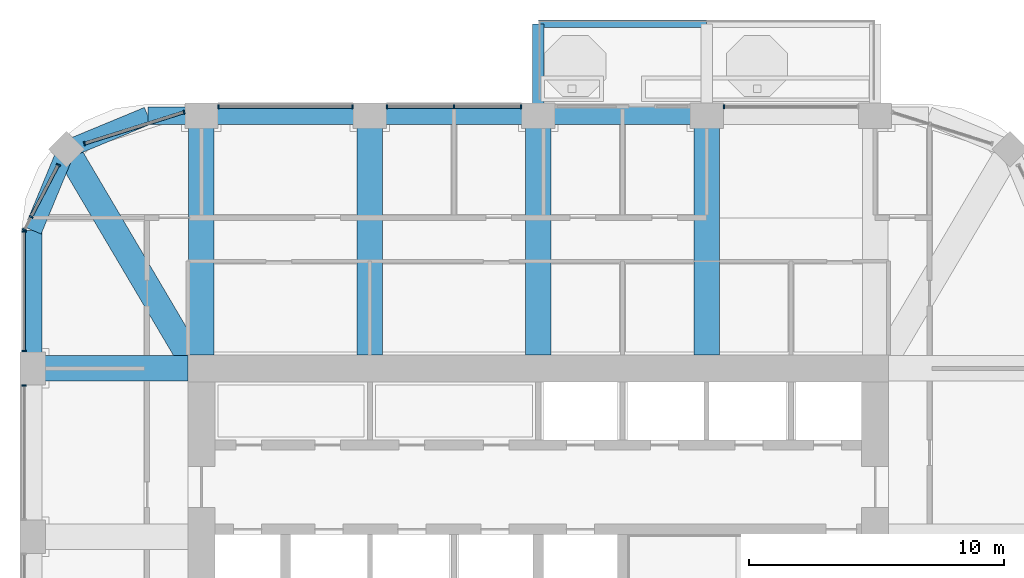
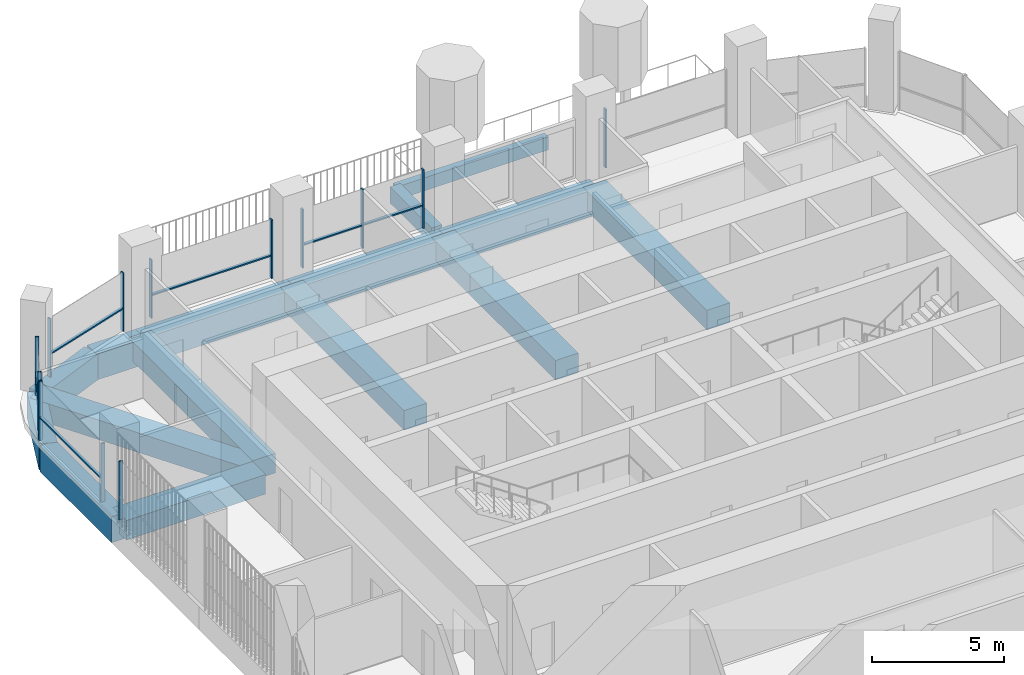
# One storey, part 6 of 21: 20 members, 15 beams, 7 elements without a shape of their own.
"""IFC4 building model written with IfcOpenShell, lengths in metres."""

from ifc_helpers import new_model, si_unit, direction, frame, origin, origin_2d, place, context, subcontext, project, spatial, rectangle, extrude, material, material_profile, profile_set, type_object, element, aggregate, save


model = new_model("IFC4")

# Units and contexts
model_context = context("Model", 3, precision=1e-05, world=origin(), true_north=direction((0.0, 1.0)))
body_context = subcontext(model_context, "Body", "Model", "MODEL_VIEW")
ifc_project = project(units=[si_unit("LENGTHUNIT", "METRE"), si_unit("AREAUNIT", "SQUARE_METRE"), si_unit("VOLUMEUNIT", "CUBIC_METRE"), si_unit("PLANEANGLEUNIT", "RADIAN"), si_unit("MASSUNIT", "GRAM", prefix="KILO")], contexts=[model_context])

# Site, building, storey
site_placement = place(None, origin())
site = spatial("IfcSite", under=ifc_project, at=site_placement, CompositionType="ELEMENT")
building_placement = place(site_placement, origin())
building = spatial("IfcBuilding", under=site, at=building_placement, Name="Cobogo Forest Laboratory Tower", CompositionType="ELEMENT")
storey_placement = place(building_placement, frame((0.0, 0.0, 241.800048828125)))
storey = spatial("IfcBuildingStorey", under=building, at=storey_placement, Name="L55", CompositionType="ELEMENT", Elevation=241.800048828125)

# Beams
ifc_material_1 = material(Name="Concrete HA-40 (C40/50)", Category="concrete")
ifc_material_profile_1 = material_profile(ifc_material_1, rectangle(XDim=0.449951171875, YDim=0.75, at=origin_2d()), Name="RC 450x750")
ifc_profile_set_1 = profile_set([ifc_material_profile_1], Name="Concrete HA-40 (C40/50)")
beam_type_1 = type_object("IfcBeamType", Name="Balcony cantilever beam 450x750", PredefinedType="BEAM", material=ifc_profile_set_1)
beam_1_placement = place(storey_placement, frame((26.39990234375, 43.35009765625, -0.625), z_axis=(0.0, 1.0, 0.0), x_axis=(-1.0, 0.0, 0.0)))
element("IfcBeam", 1, at=beam_1_placement, inside=storey, type_object=beam_type_1, Name="CB1 BAL-N1-C1 L55", PredefinedType="BEAM", context=body_context, shape_type="SweptSolid", body=[
    extrude(rectangle(XDim=0.449951171875, YDim=0.75, at=origin_2d()), origin(), (0.0, 0.0, 1.0), 3.14990234375),
])
ifc_material_profile_2 = material_profile(ifc_material_1, rectangle(XDim=0.300048828125, YDim=0.60009765625, at=origin_2d()), Name="RC 300x600")
ifc_profile_set_2 = profile_set([ifc_material_profile_2], Name="Concrete HA-40 (C40/50)")
beam_type_2 = type_object("IfcBeamType", Name="Balcony edge beam 300x600", PredefinedType="BEAM", material=ifc_profile_set_2)
beam_2_placement = place(storey_placement, frame((26.39990234375, 46.5, -0.550048828125), z_axis=(1.0, 0.0, 0.0), x_axis=(0.0, 1.0, 0.0)))
element("IfcBeam", 2, at=beam_2_placement, inside=storey, type_object=beam_type_2, Name="BB1 BAL-N1-T1 L55", PredefinedType="BEAM", context=body_context, shape_type="SweptSolid", body=[
    extrude(rectangle(XDim=0.300048828125, YDim=0.60009765625, at=origin_2d()), origin(), (0.0, 0.0, 1.0), 6.60009765625),
])

# Curtain wall, member
ifc_material_2 = material(Name="Aluminium curtain wall", Category="aluminium")
curtain_wall_type = type_object("IfcCurtainWallType", Name="CW-2 unitised curtain wall, solar control glazing, laboratory floors zones C and D", PredefinedType="USERDEFINED", material=ifc_material_2)
curtain_wall_1_placement = place(storey_placement, origin())
curtain_wall_1 = element("IfcCurtainWall", 3, at=curtain_wall_1_placement, inside=storey, type_object=curtain_wall_type, Name="Curtain wall 14 L55", ObjectType="UNITISED CURTAIN WALL", PredefinedType="USERDEFINED")
ifc_material_3 = material(Name="Aluminium mullion", Category="aluminium")
ifc_material_profile_3 = material_profile(ifc_material_3, rectangle(XDim=0.06005859375, YDim=0.159912109375, at=origin_2d()), Name="AL 60x160")
ifc_profile_set_3 = profile_set([ifc_material_profile_3], Name="Aluminium mullion")
member_type_1 = type_object("IfcMemberType", Name="MU-1 aluminium mullion 60x160", PredefinedType="MULLION", material=ifc_profile_set_3)
member_1_placement = place(storey_placement, frame((33.679931640625, 43.25, 0.0), z_axis=(0.0, 0.0, 1.0), x_axis=(-1.0, 0.0, 0.0)))
member_1 = element("IfcMember", 4, at=member_1_placement, type_object=member_type_1, Name="CW-2 mullion 2", PredefinedType="MULLION", context=body_context, shape_type="SweptSolid", body=[
    extrude(rectangle(XDim=0.06005859375, YDim=0.159912109375, at=origin_2d()), origin(), (0.0, 0.0, 1.0), 2.699951171875),
])
aggregate(curtain_wall_1, [member_1])

# Curtain wall, members
curtain_wall_2_placement = place(storey_placement, origin())
curtain_wall_2 = element("IfcCurtainWall", 5, at=curtain_wall_2_placement, inside=storey, type_object=curtain_wall_type, Name="Curtain wall 16 L55", ObjectType="UNITISED CURTAIN WALL", PredefinedType="USERDEFINED")
member_2_placement = place(storey_placement, frame((25.719970703125, 43.25, 0.0), z_axis=(0.0, 0.0, 1.0), x_axis=(-1.0, 0.0, 0.0)))
member_2 = element("IfcMember", 6, at=member_2_placement, type_object=member_type_1, Name="CW-2 mullion 1", PredefinedType="MULLION", context=body_context, shape_type="SweptSolid", body=[
    extrude(rectangle(XDim=0.06005859375, YDim=0.159912109375, at=origin_2d()), origin(), (0.0, 0.0, 1.0), 2.699951171875),
])
member_3_placement = place(storey_placement, frame((23.10009765625, 43.25, 0.0), z_axis=(0.0, 0.0, 1.0), x_axis=(-1.0, 0.0, 0.0)))
member_3 = element("IfcMember", 7, at=member_3_placement, type_object=member_type_1, Name="CW-2 mullion 2", PredefinedType="MULLION", context=body_context, shape_type="SweptSolid", body=[
    extrude(rectangle(XDim=0.06005859375, YDim=0.159912109375, at=origin_2d()), origin(), (0.0, 0.0, 1.0), 2.699951171875),
])
member_4_placement = place(storey_placement, frame((20.47998046875, 43.25, 0.0), z_axis=(0.0, 0.0, 1.0), x_axis=(-1.0, 0.0, 0.0)))
member_4 = element("IfcMember", 8, at=member_4_placement, type_object=member_type_1, Name="CW-2 mullion 3", PredefinedType="MULLION", context=body_context, shape_type="SweptSolid", body=[
    extrude(rectangle(XDim=0.06005859375, YDim=0.159912109375, at=origin_2d()), origin(), (0.0, 0.0, 1.0), 2.699951171875),
])

curtain_wall_3_placement = place(storey_placement, origin())
curtain_wall_3 = element("IfcCurtainWall", 9, at=curtain_wall_3_placement, inside=storey, type_object=curtain_wall_type, Name="Curtain wall 17 L55", ObjectType="UNITISED CURTAIN WALL", PredefinedType="USERDEFINED")
member_5_placement = place(storey_placement, frame((19.1201171875, 43.25, 0.0), z_axis=(0.0, 0.0, 1.0), x_axis=(-1.0, 0.0, 0.0)))
member_5 = element("IfcMember", 10, at=member_5_placement, type_object=member_type_1, Name="CW-2 mullion 1", PredefinedType="MULLION", context=body_context, shape_type="SweptSolid", body=[
    extrude(rectangle(XDim=0.06005859375, YDim=0.159912109375, at=origin_2d()), origin(), (0.0, 0.0, 1.0), 2.699951171875),
])
member_6_placement = place(storey_placement, frame((13.8798828125, 43.25, 0.0), z_axis=(0.0, 0.0, 1.0), x_axis=(-1.0, 0.0, 0.0)))
member_6 = element("IfcMember", 11, at=member_6_placement, type_object=member_type_1, Name="CW-2 mullion 2", PredefinedType="MULLION", context=body_context, shape_type="SweptSolid", body=[
    extrude(rectangle(XDim=0.06005859375, YDim=0.159912109375, at=origin_2d()), origin(), (0.0, 0.0, 1.0), 2.699951171875),
])

curtain_wall_4_placement = place(storey_placement, origin())
curtain_wall_4 = element("IfcCurtainWall", 12, at=curtain_wall_4_placement, inside=storey, type_object=curtain_wall_type, Name="Curtain wall 18 L55", ObjectType="UNITISED CURTAIN WALL", PredefinedType="USERDEFINED")
member_7_placement = place(storey_placement, frame((12.521484375, 43.03564453125, 0.0), z_axis=(0.0, 0.0, 1.0), x_axis=(-0.953581386052, -0.301135418334, 0.0)))
member_7 = element("IfcMember", 13, at=member_7_placement, type_object=member_type_1, Name="CW-2 mullion 1", PredefinedType="MULLION", context=body_context, shape_type="SweptSolid", body=[
    extrude(rectangle(XDim=0.06005859375, YDim=0.159912109375, at=origin_2d()), origin(), (0.0, 0.0, 1.0), 2.699951171875),
])
member_8_placement = place(storey_placement, frame((8.623779296875, 41.804931640625, 0.0), z_axis=(0.0, 0.0, 1.0), x_axis=(-0.953581386052, -0.301135418334, 0.0)))
member_8 = element("IfcMember", 14, at=member_8_placement, type_object=member_type_1, Name="CW-2 mullion 2", PredefinedType="MULLION", context=body_context, shape_type="SweptSolid", body=[
    extrude(rectangle(XDim=0.06005859375, YDim=0.159912109375, at=origin_2d()), origin(), (0.0, 0.0, 1.0), 2.699951171875),
])

curtain_wall_5_placement = place(storey_placement, origin())
curtain_wall_5 = element("IfcCurtainWall", 15, at=curtain_wall_5_placement, inside=storey, type_object=curtain_wall_type, Name="Curtain wall 19 L55", ObjectType="UNITISED CURTAIN WALL", PredefinedType="USERDEFINED")
member_9_placement = place(storey_placement, frame((7.59765625, 40.970947265625, 0.0), z_axis=(0.0, 0.0, 1.0), x_axis=(-0.464283791352, -0.885686491422, 0.0)))
member_9 = element("IfcMember", 16, at=member_9_placement, type_object=member_type_1, Name="CW-2 mullion 1", PredefinedType="MULLION", context=body_context, shape_type="SweptSolid", body=[
    extrude(rectangle(XDim=0.06005859375, YDim=0.159912109375, at=origin_2d()), origin(), (0.0, 0.0, 1.0), 2.699951171875),
])
member_10_placement = place(storey_placement, frame((6.531494140625, 38.937255859375, 0.0), z_axis=(0.0, 0.0, 1.0), x_axis=(-0.464283791352, -0.885686491422, 0.0)))
member_10 = element("IfcMember", 17, at=member_10_placement, type_object=member_type_1, Name="CW-2 mullion 2", PredefinedType="MULLION", context=body_context, shape_type="SweptSolid", body=[
    extrude(rectangle(XDim=0.06005859375, YDim=0.159912109375, at=origin_2d()), origin(), (0.0, 0.0, 1.0), 2.699951171875),
])
member_11_placement = place(storey_placement, frame((6.263916015625, 38.426513671875, 0.0), z_axis=(0.0, 0.0, 1.0), x_axis=(-0.464283791352, -0.885686491422, 0.0)))
member_11 = element("IfcMember", 18, at=member_11_placement, type_object=member_type_1, Name="CW-2 mullion 3", PredefinedType="MULLION", context=body_context, shape_type="SweptSolid", body=[
    extrude(rectangle(XDim=0.06005859375, YDim=0.159912109375, at=origin_2d()), origin(), (0.0, 0.0, 1.0), 2.699951171875),
])

curtain_wall_6_placement = place(storey_placement, origin())
curtain_wall_6 = element("IfcCurtainWall", 19, at=curtain_wall_6_placement, inside=storey, type_object=curtain_wall_type, Name="Curtain wall 20 L55", ObjectType="UNITISED CURTAIN WALL", PredefinedType="USERDEFINED")
member_12_placement = place(storey_placement, frame((6.25, 38.3701171875, 0.0), z_axis=(0.0, 0.0, 1.0), x_axis=(0.0, -1.0, 0.0)))
member_12 = element("IfcMember", 20, at=member_12_placement, type_object=member_type_1, Name="CW-2 mullion 1", PredefinedType="MULLION", context=body_context, shape_type="SweptSolid", body=[
    extrude(rectangle(XDim=0.06005859375, YDim=0.159912109375, at=origin_2d()), origin(), (0.0, 0.0, 1.0), 2.699951171875),
])
member_13_placement = place(storey_placement, frame((6.25, 33.679931640625, 0.0), z_axis=(0.0, 0.0, 1.0), x_axis=(0.0, -1.0, 0.0)))
member_13 = element("IfcMember", 21, at=member_13_placement, type_object=member_type_1, Name="CW-2 mullion 2", PredefinedType="MULLION", context=body_context, shape_type="SweptSolid", body=[
    extrude(rectangle(XDim=0.06005859375, YDim=0.159912109375, at=origin_2d()), origin(), (0.0, 0.0, 1.0), 2.699951171875),
])

# Curtain wall, member
curtain_wall_7_placement = place(storey_placement, origin())
curtain_wall_7 = element("IfcCurtainWall", 22, at=curtain_wall_7_placement, inside=storey, type_object=curtain_wall_type, Name="Curtain wall 21 L55", ObjectType="UNITISED CURTAIN WALL", PredefinedType="USERDEFINED")
member_14_placement = place(storey_placement, frame((6.25, 32.320068359375, 0.0), z_axis=(0.0, 0.0, 1.0), x_axis=(0.0, -1.0, 0.0)))
member_14 = element("IfcMember", 23, at=member_14_placement, type_object=member_type_1, Name="CW-2 mullion 1", PredefinedType="MULLION", context=body_context, shape_type="SweptSolid", body=[
    extrude(rectangle(XDim=0.06005859375, YDim=0.159912109375, at=origin_2d()), origin(), (0.0, 0.0, 1.0), 2.699951171875),
])
aggregate(curtain_wall_7, [member_14])

# Beams
ifc_material_profile_4 = material_profile(ifc_material_1, rectangle(XDim=1.0, YDim=0.89990234375, at=origin_2d()), Name="RC 1000x900")
ifc_profile_set_4 = profile_set([ifc_material_profile_4], Name="Concrete HA-40 (C40/50)")
beam_type_3 = type_object("IfcBeamType", Name="Office floor wide beam 1000x900", PredefinedType="BEAM", material=ifc_profile_set_4)
for number, where, z_axis, x_axis, name in (
    (24, (13.199951171875, 33.52490234375, -0.75), (0.0, 1.0, 0.0), (-1.0, 0.0, 0.0), "RB2 R-3-N L55"),
    (25, (19.800048828125, 33.52490234375, -0.75), (0.0, 1.0, 0.0), (-1.0, 0.0, 0.0), "RB2 R-4-N L55"),
    (26, (26.39990234375, 33.52490234375, -0.75), (0.0, 1.0, 0.0), (-1.0, 0.0, 0.0), "RB2 R-5-N L55"),
    (27, (33.0, 33.52490234375, -0.75), (0.0, 1.0, 0.0), (-1.0, 0.0, 0.0), "RB2 R-6-N L55"),
):
    element("IfcBeam", number, at=place(storey_placement, frame(where, z_axis=z_axis, x_axis=x_axis)), inside=storey, type_object=beam_type_3, Name=name, PredefinedType="BEAM", context=body_context, shape_type="SweptSolid", body=[
        extrude(rectangle(XDim=1.0, YDim=0.89990234375, at=origin_2d()), origin(), (0.0, 0.0, 1.0), 9.375),
    ])
beam_3_placement = place(storey_placement, frame((12.675048828125, 33.0, -0.75), z_axis=(-1.0, 0.0, 0.0), x_axis=(0.0, -1.0, 0.0)))
element("IfcBeam", 28, at=beam_3_placement, inside=storey, type_object=beam_type_3, Name="RB2 R-F-W L55", PredefinedType="BEAM", context=body_context, shape_type="SweptSolid", body=[
    extrude(rectangle(XDim=1.0, YDim=0.89990234375, at=origin_2d()), origin(), (0.0, 0.0, 1.0), 6.074951171875),
])
beam_4_placement = place(storey_placement, frame((7.91796875, 41.58203125, -0.75), z_axis=(0.508416325908, -0.861111397875, 0.0), x_axis=(0.861111397875, 0.508416325908, 0.0)))
element("IfcBeam", 29, at=beam_4_placement, inside=storey, type_object=beam_type_3, Name="RB2 G-NW-D1 L55", PredefinedType="BEAM", context=body_context, shape_type="SweptSolid", body=[
    extrude(rectangle(XDim=1.0, YDim=0.89990234375, at=origin_2d()), origin(), (0.0, 0.0, 1.0), 9.356689453125),
])
ifc_material_profile_5 = material_profile(ifc_material_1, rectangle(XDim=0.699951171875, YDim=1.199951171875, at=origin_2d()), Name="RC 700x1200")
ifc_profile_set_5 = profile_set([ifc_material_profile_5], Name="Concrete HA-40 (C40/50)")
beam_type_4 = type_object("IfcBeamType", Name="Perimeter edge beam 700x1200", PredefinedType="BEAM", material=ifc_profile_set_5)
beam_5_placement = place(storey_placement, frame((13.199951171875, 42.89990234375, -0.900146484375), z_axis=(1.0, 0.0, 0.0), x_axis=(0.0, 1.0, 0.0)))
element("IfcBeam", 30, at=beam_5_placement, inside=storey, type_object=beam_type_4, Name="EB1 E-N1 L55", PredefinedType="BEAM", context=body_context, shape_type="SweptSolid", body=[
    extrude(rectangle(XDim=0.699951171875, YDim=1.199951171875, at=origin_2d()), origin(), (0.0, 0.0, 1.0), 6.60009765625),
])
beam_6_placement = place(storey_placement, frame((19.800048828125, 42.89990234375, -0.900146484375), z_axis=(1.0, 0.0, 0.0), x_axis=(0.0, 1.0, 0.0)))
element("IfcBeam", 31, at=beam_6_placement, inside=storey, type_object=beam_type_4, Name="EB1 E-N2 L55", PredefinedType="BEAM", context=body_context, shape_type="SweptSolid", body=[
    extrude(rectangle(XDim=0.699951171875, YDim=1.199951171875, at=origin_2d()), origin(), (0.0, 0.0, 1.0), 6.599853515625),
])
beam_7_placement = place(storey_placement, frame((26.39990234375, 42.89990234375, -0.900146484375), z_axis=(1.0, 0.0, 0.0), x_axis=(0.0, 1.0, 0.0)))
element("IfcBeam", 32, at=beam_7_placement, inside=storey, type_object=beam_type_4, Name="EB1 E-N3 L55", PredefinedType="BEAM", context=body_context, shape_type="SweptSolid", body=[
    extrude(rectangle(XDim=0.699951171875, YDim=1.199951171875, at=origin_2d()), origin(), (0.0, 0.0, 1.0), 6.60009765625),
])
beam_8_placement = place(storey_placement, frame((13.199951171875, 42.89990234375, -0.900146484375), z_axis=(-1.0, 0.0, 0.0), x_axis=(0.0, -1.0, 0.0)))
element("IfcBeam", 33, at=beam_8_placement, inside=storey, type_object=beam_type_4, Name="EB1 E-NWN1 L55", PredefinedType="BEAM", context=body_context, shape_type="SweptSolid", body=[
    extrude(rectangle(XDim=0.699951171875, YDim=1.199951171875, at=origin_2d()), origin(), (0.0, 0.0, 1.0), 2.099853515625),
])
beam_9_placement = place(storey_placement, frame((11.10009765625, 42.89990234375, -0.900146484375), z_axis=(-0.923901072997, -0.382631424892, 0.0), x_axis=(0.382631424892, -0.923901072997, 0.0)))
element("IfcBeam", 34, at=beam_9_placement, inside=storey, type_object=beam_type_4, Name="EB1 E-NWN2 L55", PredefinedType="BEAM", context=body_context, shape_type="SweptSolid", body=[
    extrude(rectangle(XDim=0.699951171875, YDim=1.199951171875, at=origin_2d()), origin(), (0.0, 0.0, 1.0), 3.4443359375),
])
beam_10_placement = place(storey_placement, frame((6.60009765625, 33.0, -0.900146484375), z_axis=(0.0, 1.0, 0.0), x_axis=(-1.0, 0.0, 0.0)))
element("IfcBeam", 35, at=beam_10_placement, inside=storey, type_object=beam_type_4, Name="EB1 E-NWW1 L55", PredefinedType="BEAM", context=body_context, shape_type="SweptSolid", body=[
    extrude(rectangle(XDim=0.699951171875, YDim=1.199951171875, at=origin_2d()), origin(), (0.0, 0.0, 1.0), 5.39990234375),
])
beam_11_placement = place(storey_placement, frame((6.60009765625, 38.39990234375, -0.900146484375), z_axis=(0.382631424892, 0.923901072997, 0.0), x_axis=(-0.923901072997, 0.382631424892, 0.0)))
element("IfcBeam", 36, at=beam_11_placement, inside=storey, type_object=beam_type_4, Name="EB1 E-NWW2 L55", PredefinedType="BEAM", context=body_context, shape_type="SweptSolid", body=[
    extrude(rectangle(XDim=0.699951171875, YDim=1.199951171875, at=origin_2d()), origin(), (0.0, 0.0, 1.0), 3.4443359375),
])

# Member
ifc_material_4 = material(Name="Aluminium transom", Category="aluminium")
ifc_material_profile_6 = material_profile(ifc_material_4, rectangle(XDim=0.1201171875, YDim=0.06005859375, at=origin_2d()), Name="AL 60x120")
ifc_profile_set_6 = profile_set([ifc_material_profile_6], Name="Aluminium transom")
member_type_2 = type_object("IfcMemberType", Name="TR-1 aluminium transom 60x120", PredefinedType="USERDEFINED", material=ifc_profile_set_6)
member_15_placement = place(storey_placement, frame((25.68994140625, 43.25, 1.050048828125), z_axis=(-1.0, 0.0, 0.0), x_axis=(0.0, -1.0, 0.0)))
member_15 = element("IfcMember", 37, at=member_15_placement, type_object=member_type_2, Name="CW-2 transom 1.1", ObjectType="TRANSOM", PredefinedType="USERDEFINED", context=body_context, shape_type="SweptSolid", body=[
    extrude(rectangle(XDim=0.1201171875, YDim=0.06005859375, at=origin_2d()), origin(), (0.0, 0.0, 1.0), 2.56005859375),
])

member_16_placement = place(storey_placement, frame((23.070068359375, 43.25, 1.050048828125), z_axis=(-1.0, 0.0, 0.0), x_axis=(0.0, -1.0, 0.0)))
member_16 = element("IfcMember", 38, at=member_16_placement, type_object=member_type_2, Name="CW-2 transom 2.1", ObjectType="TRANSOM", PredefinedType="USERDEFINED", context=body_context, shape_type="SweptSolid", body=[
    extrude(rectangle(XDim=0.1201171875, YDim=0.06005859375, at=origin_2d()), origin(), (0.0, 0.0, 1.0), 2.56005859375),
])

aggregate(curtain_wall_2, [member_2, member_3, member_4, member_15, member_16])

member_17_placement = place(storey_placement, frame((19.090087890625, 43.25, 1.050048828125), z_axis=(-1.0, 0.0, 0.0), x_axis=(0.0, -1.0, 0.0)))
member_17 = element("IfcMember", 39, at=member_17_placement, type_object=member_type_2, Name="CW-2 transom 1.1", ObjectType="TRANSOM", PredefinedType="USERDEFINED", context=body_context, shape_type="SweptSolid", body=[
    extrude(rectangle(XDim=0.1201171875, YDim=0.06005859375, at=origin_2d()), origin(), (0.0, 0.0, 1.0), 5.18017578125),
])

aggregate(curtain_wall_3, [member_5, member_6, member_17])

member_18_placement = place(storey_placement, frame((12.49267578125, 43.026611328125, 1.050048828125), z_axis=(-0.953589078362, -0.301111058628, 0.0), x_axis=(0.301111058628, -0.953589078362, 0.0)))
member_18 = element("IfcMember", 40, at=member_18_placement, type_object=member_type_2, Name="CW-2 transom 1.1", ObjectType="TRANSOM", PredefinedType="USERDEFINED", context=body_context, shape_type="SweptSolid", body=[
    extrude(rectangle(XDim=0.1201171875, YDim=0.06005859375, at=origin_2d()), origin(), (0.0, 0.0, 1.0), 4.02734375),
])

aggregate(curtain_wall_4, [member_7, member_8, member_18])

member_19_placement = place(storey_placement, frame((7.583740234375, 40.9443359375, 1.050048828125), z_axis=(-0.464292517379, -0.885681917116, 0.0), x_axis=(0.885681917116, -0.464292517379, 0.0)))
member_19 = element("IfcMember", 41, at=member_19_placement, type_object=member_type_2, Name="CW-2 transom 1.1", ObjectType="TRANSOM", PredefinedType="USERDEFINED", context=body_context, shape_type="SweptSolid", body=[
    extrude(rectangle(XDim=0.1201171875, YDim=0.06005859375, at=origin_2d()), origin(), (0.0, 0.0, 1.0), 2.236328125),
])

aggregate(curtain_wall_5, [member_9, member_10, member_11, member_19])

member_20_placement = place(storey_placement, frame((6.25, 38.340087890625, 1.050048828125), z_axis=(0.0, -1.0, 0.0), x_axis=(1.0, 0.0, 0.0)))
member_20 = element("IfcMember", 42, at=member_20_placement, type_object=member_type_2, Name="CW-2 transom 1.1", ObjectType="TRANSOM", PredefinedType="USERDEFINED", context=body_context, shape_type="SweptSolid", body=[
    extrude(rectangle(XDim=0.1201171875, YDim=0.06005859375, at=origin_2d()), origin(), (0.0, 0.0, 1.0), 4.630126953125),
])

aggregate(curtain_wall_6, [member_12, member_13, member_20])

save(model, "model.ifc")
